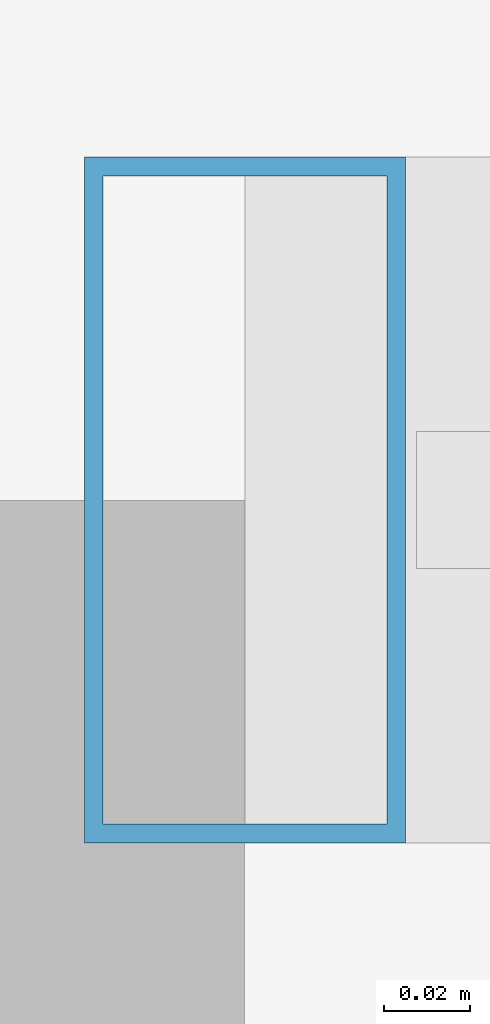
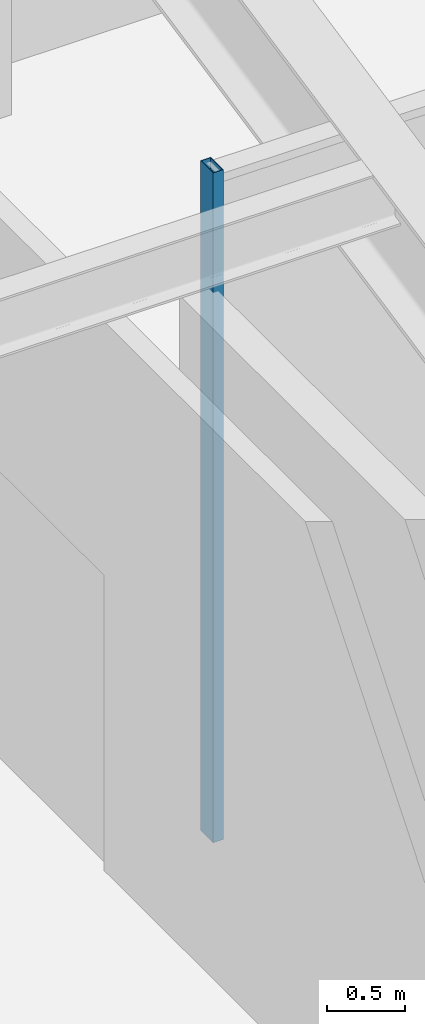
# One storey, part 6 of 24: 1 member, 1 element without a shape of its own.
"""IFC4 building model written with IfcOpenShell, lengths in metres."""

from ifc_helpers import new_model, si_unit, direction, frame, origin, origin_2d, place, context, subcontext, project, spatial, hollow_rectangle, extrude, material, material_profile, profile_set, type_object, element, aggregate, save


model = new_model("IFC4")

# Units and contexts
model_context = context("Model", 3, precision=1e-05, world=origin(), true_north=direction((0.0, 1.0)))
body_context = subcontext(model_context, "Body", "Model", "MODEL_VIEW")
ifc_project = project(units=[si_unit("LENGTHUNIT", "METRE"), si_unit("AREAUNIT", "SQUARE_METRE"), si_unit("VOLUMEUNIT", "CUBIC_METRE"), si_unit("PLANEANGLEUNIT", "RADIAN"), si_unit("MASSUNIT", "GRAM", prefix="KILO")], contexts=[model_context])

# Site, building, storey
site_placement = place(None, origin())
site = spatial("IfcSite", under=ifc_project, at=site_placement, CompositionType="ELEMENT")
building_placement = place(site_placement, origin())
building = spatial("IfcBuilding", under=site, at=building_placement, Name="Kolvaren Belvedere", CompositionType="ELEMENT")
storey_placement = place(building_placement, origin())
storey = spatial("IfcBuildingStorey", under=building, at=storey_placement, Name="L01", CompositionType="ELEMENT", Elevation=0.0)

# Curtain wall, member
ifc_material_1 = material(Name="Anodised pale-metal aluminium AA 6063-T6", Category="aluminium")
curtain_wall_type = type_object("IfcCurtainWallType", Name="CW-POD-A", PredefinedType="NOTDEFINED", material=ifc_material_1)
curtain_wall_placement = place(storey_placement, origin())
curtain_wall = element("IfcCurtainWall", 1, at=curtain_wall_placement, inside=storey, type_object=curtain_wall_type, Name="L01 Unitised Curtain Wall FCW-L01-PORT-W", PredefinedType="NOTDEFINED")
ifc_material_2 = material(Name="Anodised pale-metal aluminium AA 6063-T6", Category="aluminium")
ifc_material_profile = material_profile(ifc_material_2, hollow_rectangle(XDim=0.074951171875, YDim=0.159912109375, WallThickness=0.00439453125, at=origin_2d()), Name="ALU-MUL-160X75")
ifc_profile_set = profile_set([ifc_material_profile], Name="Anodised pale-metal aluminium AA 6063-T6")
member_type = type_object("IfcMemberType", Name="CW-MUL-160", PredefinedType="MULLION", material=ifc_profile_set)
member_placement = place(storey_placement, frame((-12.0, -18.280029296875, 0.0), z_axis=(0.0, 0.0, 1.0), x_axis=(1.0, 0.0, 0.0)))
member = element("IfcMember", 2, at=member_placement, type_object=member_type, Name="FCW-L01-PORT-W Unitised Mullion 3", PredefinedType="MULLION", context=body_context, shape_type="SweptSolid", body=[
    extrude(hollow_rectangle(XDim=0.074951171875, YDim=0.159912109375, WallThickness=0.00439453125, at=origin_2d()), origin(), (0.0, 0.0, 1.0), 5.219970703125),
])
aggregate(curtain_wall, [member])

save(model, "model.ifc")
